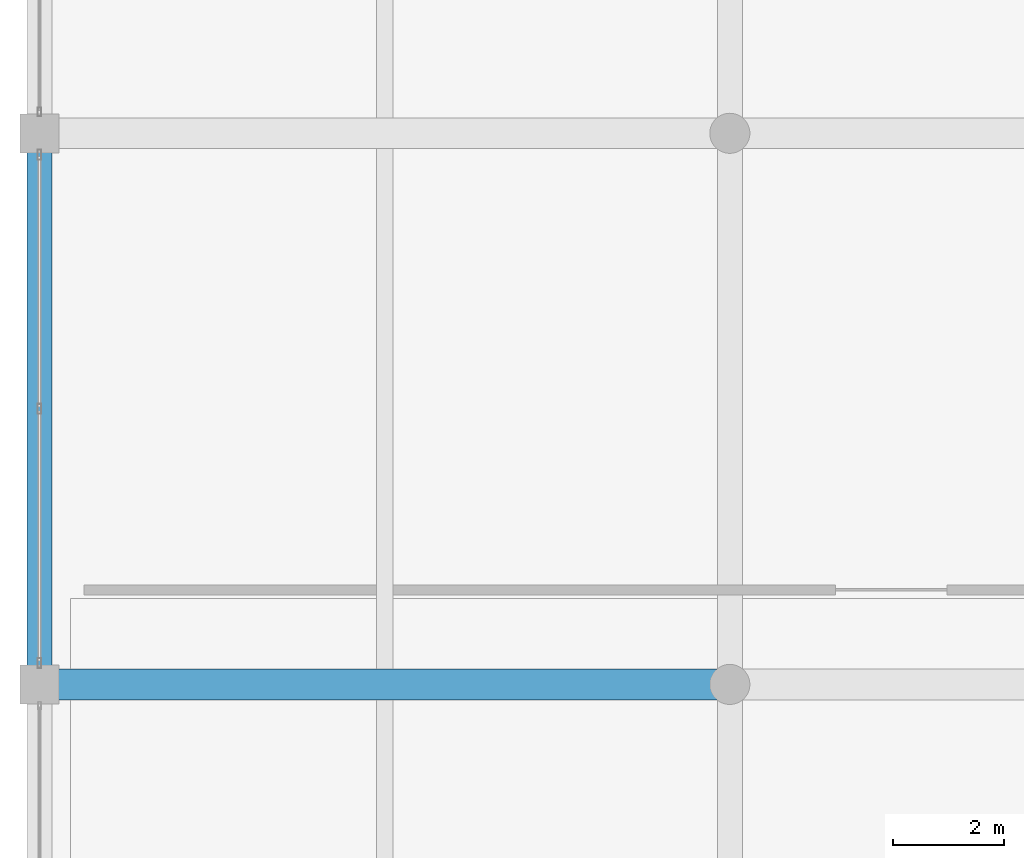
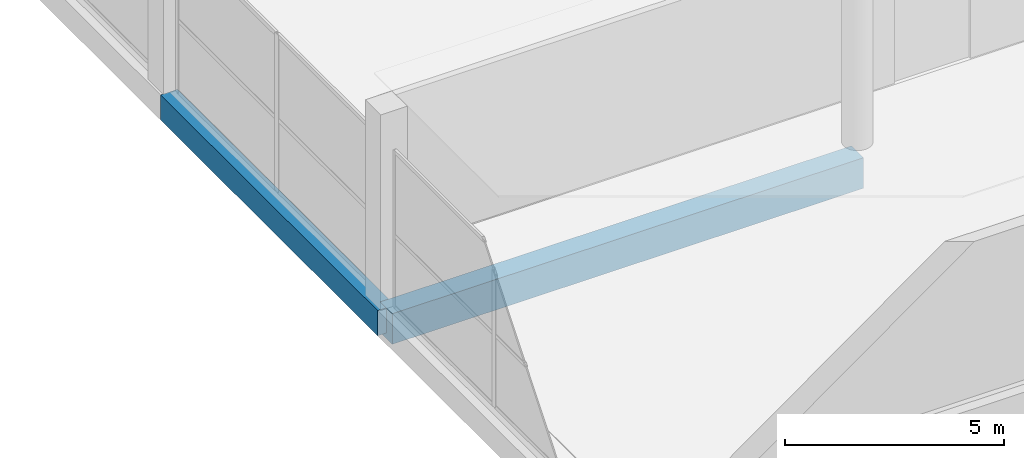
# One storey, part 17 of 72: 2 beams.
"""IFC4 building model written with IfcOpenShell, lengths in metres."""

from ifc_helpers import new_model, si_unit, direction, frame, origin, origin_2d, place, context, subcontext, project, spatial, rectangle, extrude, material, material_profile, profile_set, type_object, element, save


model = new_model("IFC4")

# Units and contexts
model_context = context("Model", 3, precision=1e-05, world=origin(), true_north=direction((0.0, 1.0)))
body_context = subcontext(model_context, "Body", "Model", "MODEL_VIEW")
ifc_project = project(units=[si_unit("LENGTHUNIT", "METRE"), si_unit("AREAUNIT", "SQUARE_METRE"), si_unit("VOLUMEUNIT", "CUBIC_METRE"), si_unit("PLANEANGLEUNIT", "RADIAN"), si_unit("MASSUNIT", "GRAM", prefix="KILO")], contexts=[model_context])

# Site, building, storey
site_placement = place(None, origin())
site = spatial("IfcSite", under=ifc_project, at=site_placement, CompositionType="ELEMENT")
building_placement = place(site_placement, origin())
building = spatial("IfcBuilding", under=site, at=building_placement, Name="Sillaruma Civic Art Gallery", CompositionType="ELEMENT")
storey_placement = place(building_placement, frame((0.0, 0.0, 10.8798828125)))
storey = spatial("IfcBuildingStorey", under=building, at=storey_placement, Name="L02", CompositionType="ELEMENT", Elevation=10.8798828125)

# Beams
ifc_material_1 = material(Name="Concrete H40 (40 MPa)", Category="concrete")
ifc_material_profile_1 = material_profile(ifc_material_1, rectangle(XDim=0.550048828125, YDim=0.85009765625, at=origin_2d()), Name="RCB550x850")
ifc_profile_set_1 = profile_set([ifc_material_profile_1], Name="Concrete H40 (40 MPa)")
beam_type_1 = type_object("IfcBeamType", Name="BM-BEAM-RCB550x850", PredefinedType="BEAM", material=ifc_profile_set_1)
beam_1_placement = place(storey_placement, frame((0.0, 89.10009765625, -0.684814453125), z_axis=(1.0, 0.0, 0.0), x_axis=(0.0, 1.0, 0.0)))
element("IfcBeam", 1, at=beam_1_placement, inside=storey, type_object=beam_type_1, Name="Beam BM-01 (L01:10:A-B)", PredefinedType="BEAM", context=body_context, shape_type="SweptSolid", body=[
    extrude(rectangle(XDim=0.550048828125, YDim=0.85009765625, at=origin_2d()), origin(), (0.0, 0.0, 1.0), 12.39990234375),
])
ifc_material_2 = material(Name="Concrete H35 (35 MPa)", Category="concrete")
ifc_material_profile_2 = material_profile(ifc_material_2, rectangle(XDim=0.449951171875, YDim=0.699951171875, at=origin_2d()), Name="RCB450x700")
ifc_profile_set_2 = profile_set([ifc_material_profile_2], Name="Concrete H35 (35 MPa)")
beam_type_2 = type_object("IfcBeamType", Name="BM-SPANDREL-RCB450x700", PredefinedType="SPANDREL", material=ifc_profile_set_2)
beam_2_placement = place(storey_placement, frame((0.0, 89.10009765625, -0.60986328125), z_axis=(0.0, 1.0, 0.0), x_axis=(-1.0, 0.0, 0.0)))
element("IfcBeam", 2, at=beam_2_placement, inside=storey, type_object=beam_type_2, Name="Beam BS-03 (L01:A:10-11)", PredefinedType="SPANDREL", context=body_context, shape_type="SweptSolid", body=[
    extrude(rectangle(XDim=0.449951171875, YDim=0.699951171875, at=origin_2d()), origin(), (0.0, 0.0, 1.0), 9.89990234375),
])

save(model, "model.ifc")
